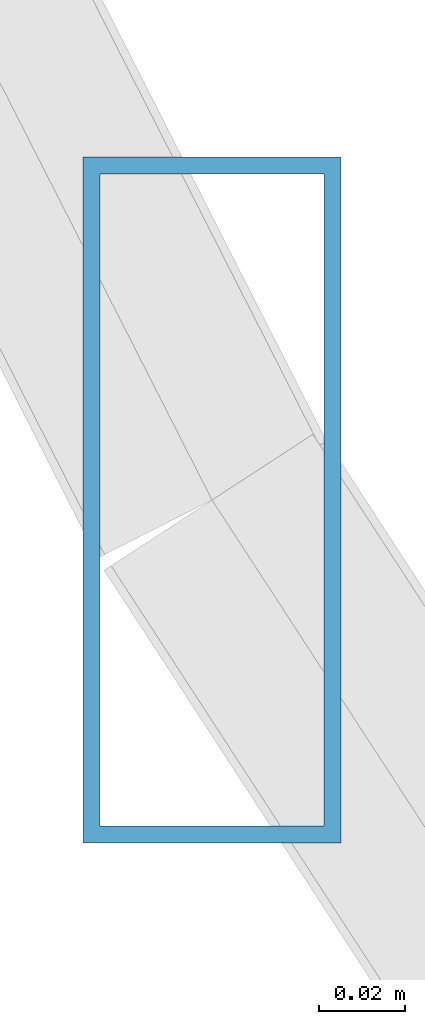
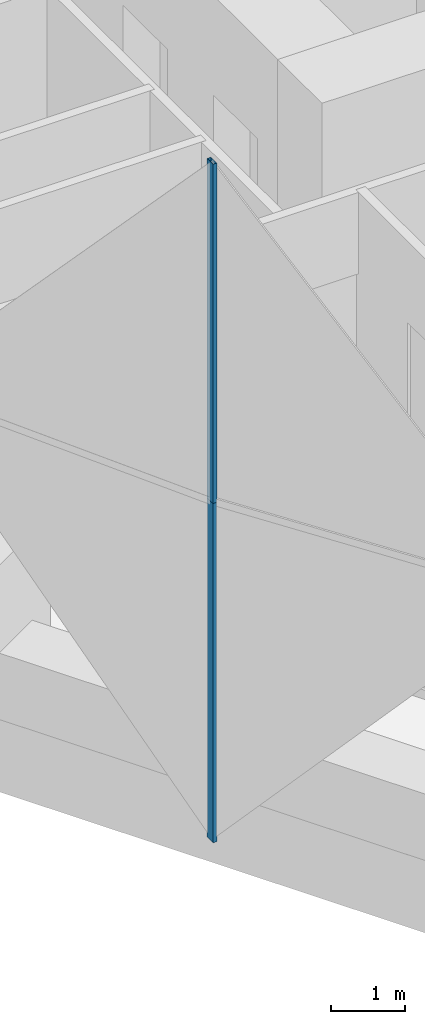
# One storey, part 2 of 16: 2 members, 1 element without a shape of its own.
"""IFC4 building model written with IfcOpenShell, lengths in metres."""

from ifc_helpers import new_model, si_unit, direction, frame, origin, origin_2d, place, context, subcontext, project, spatial, hollow_rectangle, extrude, material, material_profile, profile_set, type_object, element, aggregate, save


model = new_model("IFC4")

# Units and contexts
model_context = context("Model", 3, precision=1e-05, world=origin(), true_north=direction((0.0, 1.0)))
body_context = subcontext(model_context, "Body", "Model", "MODEL_VIEW")
ifc_project = project(units=[si_unit("LENGTHUNIT", "METRE"), si_unit("AREAUNIT", "SQUARE_METRE"), si_unit("VOLUMEUNIT", "CUBIC_METRE"), si_unit("PLANEANGLEUNIT", "RADIAN"), si_unit("MASSUNIT", "GRAM", prefix="KILO")], contexts=[model_context])

# Site, building, storey
site_placement = place(None, origin())
site = spatial("IfcSite", under=ifc_project, at=site_placement, CompositionType="ELEMENT")
building_placement = place(site_placement, origin())
building = spatial("IfcBuilding", under=site, at=building_placement, Name="Ostrander Bayou Hotel Tower", CompositionType="ELEMENT")
storey_placement = place(building_placement, frame((0.0, 0.0, 58.0)))
storey = spatial("IfcBuildingStorey", under=building, at=storey_placement, Name="L14", CompositionType="ELEMENT", Elevation=58.0)

# Curtain wall, members
ifc_material_1 = material(Name="Aluminium and clear glass", Category="aluminium")
curtain_wall_type = type_object("IfcCurtainWallType", Name="CW-LAT lattice glazing", PredefinedType="NOTDEFINED", material=ifc_material_1)
curtain_wall_placement = place(storey_placement, origin())
curtain_wall = element("IfcCurtainWall", 1, at=curtain_wall_placement, inside=storey, type_object=curtain_wall_type, Name="CW-LAT L14 SW 1", PredefinedType="NOTDEFINED")
ifc_material_2 = material(Name="Aluminium", Category="aluminium")
ifc_material_profile = material_profile(ifc_material_2, hollow_rectangle(XDim=0.06005859375, YDim=0.159912109375, WallThickness=0.00390625, at=origin_2d()))
ifc_profile_set = profile_set([ifc_material_profile], Name="Aluminium")
member_type = type_object("IfcMemberType", Name="CW-LA mullion 60 x 160 mm", PredefinedType="MULLION", material=ifc_profile_set)
member_1_placement = place(storey_placement, frame((-19.11328125, -11.034912109375, -0.60009765625), z_axis=(0.0, 0.0, 1.0), x_axis=(1.0, 0.0, 0.0)))
member_1 = element("IfcMember", 2, at=member_1_placement, type_object=member_type, Name="CW-LAT mullion 4", PredefinedType="MULLION", context=body_context, shape_type="SweptSolid", body=[
    extrude(hollow_rectangle(XDim=0.06005859375, YDim=0.159912109375, WallThickness=0.00390625, at=origin_2d()), origin(), (0.0, 0.0, 1.0), 5.625),
])
member_2_placement = place(storey_placement, frame((-19.11328125, -11.034912109375, 5.02490234375), z_axis=(0.0, 0.0, 1.0), x_axis=(1.0, 0.0, 0.0)))
member_2 = element("IfcMember", 3, at=member_2_placement, type_object=member_type, Name="CW-LAT mullion 5", PredefinedType="MULLION", context=body_context, shape_type="SweptSolid", body=[
    extrude(hollow_rectangle(XDim=0.06005859375, YDim=0.159912109375, WallThickness=0.00390625, at=origin_2d()), origin(), (0.0, 0.0, 1.0), 5.625),
])
aggregate(curtain_wall, [member_1, member_2])

save(model, "model.ifc")
